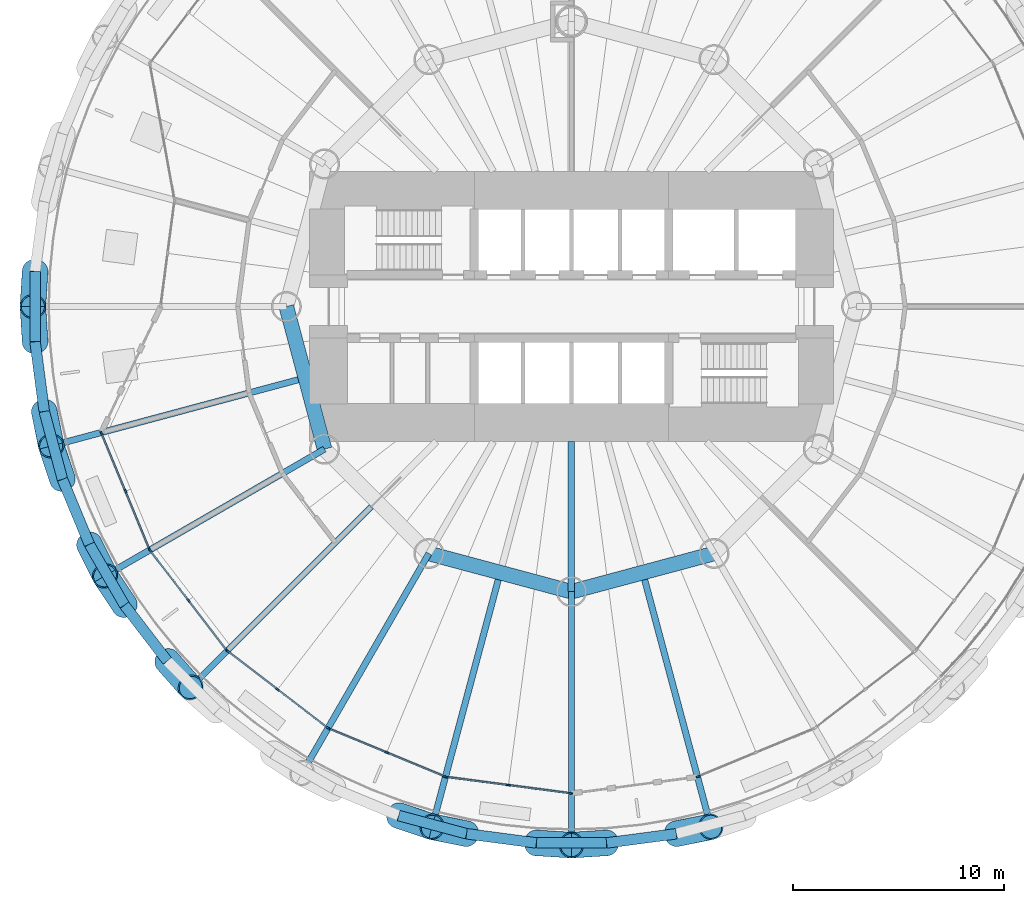
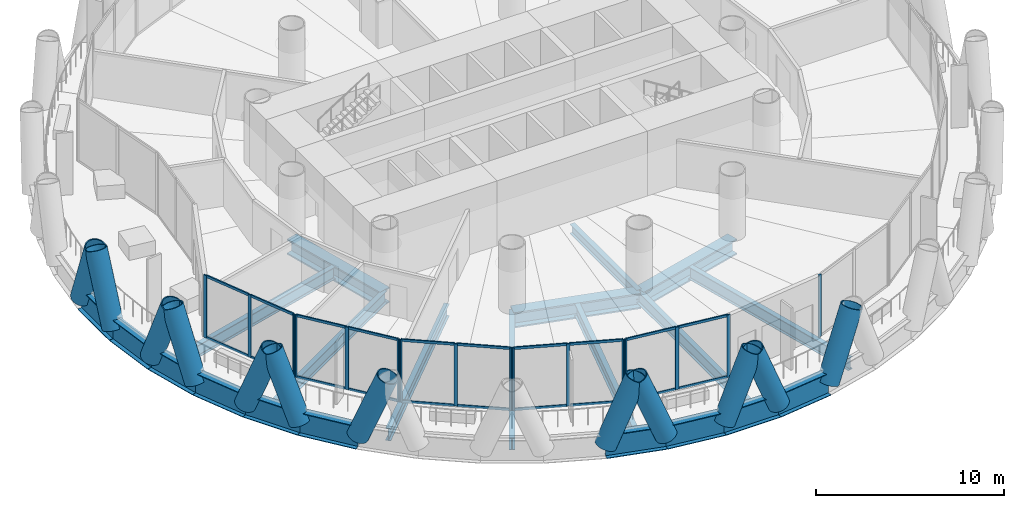
# One storey, part 2 of 15: 48 members, 21 beams, 6 elements without a shape of their own.
"""IFC4 building model written with IfcOpenShell, lengths in metres."""

from ifc_helpers import new_model, si_unit, direction, frame, origin, origin_2d, place, context, subcontext, project, spatial, rectangle, hollow_circle, i_section, extrude, material, material_profile, profile_set, type_object, element, aggregate, save


model = new_model("IFC4")

# Units and contexts
model_context = context("Model", 3, precision=1e-05, world=origin(), true_north=direction((0.0, 1.0)))
body_context = subcontext(model_context, "Body", "Model", "MODEL_VIEW")
ifc_project = project(units=[si_unit("LENGTHUNIT", "METRE"), si_unit("AREAUNIT", "SQUARE_METRE"), si_unit("VOLUMEUNIT", "CUBIC_METRE"), si_unit("PLANEANGLEUNIT", "RADIAN"), si_unit("MASSUNIT", "GRAM", prefix="KILO")], contexts=[model_context])

# Site, building, storey
site_placement = place(None, origin())
site = spatial("IfcSite", under=ifc_project, at=site_placement, CompositionType="ELEMENT")
building_placement = place(site_placement, origin())
building = spatial("IfcBuilding", under=site, at=building_placement, Name="Qaws Media Tower", CompositionType="ELEMENT")
storey_placement = place(building_placement, frame((0.0, 0.0, 72.199951171875)))
storey = spatial("IfcBuildingStorey", under=building, at=storey_placement, Name="L15", CompositionType="ELEMENT", Elevation=72.199951171875)

# Curtain wall, members
ifc_material_1 = material(Name="Aluminium and clear glass", Category="aluminium")
curtain_wall_type = type_object("IfcCurtainWallType", Name="Unitised curtain wall CW-A", PredefinedType="NOTDEFINED", material=ifc_material_1)
curtain_wall_1_placement = place(storey_placement, origin())
curtain_wall_1 = element("IfcCurtainWall", 1, at=curtain_wall_1_placement, inside=storey, type_object=curtain_wall_type, Name="CWA curtain wall L15-14", PredefinedType="NOTDEFINED")
ifc_material_2 = material(Name="Aluminium mullion", Category="aluminium")
ifc_material_profile_1 = material_profile(ifc_material_2, rectangle(XDim=0.080078125, YDim=0.199951171875, at=origin_2d()), Name="80x200")
ifc_profile_set_1 = profile_set([ifc_material_profile_1], Name="Aluminium mullion")
member_type_1 = type_object("IfcMemberType", Name="Curtain wall mullion 80x200", PredefinedType="MULLION", material=ifc_profile_set_1)
member_1_placement = place(storey_placement, frame((37.750732421875, 43.997314453125, 0.0), z_axis=(0.0, 0.0, 1.0), x_axis=(0.923879575665, 0.382683328183, 0.0)))
member_1 = element("IfcMember", 2, at=member_1_placement, type_object=member_type_1, Name="CWA mullion 1", PredefinedType="MULLION", context=body_context, shape_type="SweptSolid", body=[
    extrude(rectangle(XDim=0.080078125, YDim=0.199951171875, at=origin_2d()), origin(), (0.0, 0.0, 1.0), 4.0400390625),
])
member_2_placement = place(storey_placement, frame((38.88671875, 41.254638671875, 0.0), z_axis=(0.0, 0.0, 1.0), x_axis=(0.923879575665, 0.382683328183, 0.0)))
member_2 = element("IfcMember", 3, at=member_2_placement, type_object=member_type_1, Name="CWA mullion 2", PredefinedType="MULLION", context=body_context, shape_type="SweptSolid", body=[
    extrude(rectangle(XDim=0.080078125, YDim=0.199951171875, at=origin_2d()), origin(), (0.0, 0.0, 1.0), 4.0400390625),
])
member_3_placement = place(storey_placement, frame((40.022705078125, 38.511962890625, 0.0), z_axis=(0.0, 0.0, 1.0), x_axis=(0.923879575665, 0.382683328183, 0.0)))
member_3 = element("IfcMember", 4, at=member_3_placement, type_object=member_type_1, Name="CWA mullion 3", PredefinedType="MULLION", context=body_context, shape_type="SweptSolid", body=[
    extrude(rectangle(XDim=0.080078125, YDim=0.199951171875, at=origin_2d()), origin(), (0.0, 0.0, 1.0), 4.0400390625),
])

curtain_wall_2_placement = place(storey_placement, origin())
curtain_wall_2 = element("IfcCurtainWall", 5, at=curtain_wall_2_placement, inside=storey, type_object=curtain_wall_type, Name="CWA curtain wall L15-15", PredefinedType="NOTDEFINED")
member_4_placement = place(storey_placement, frame((40.0625, 38.443359375, 0.0), z_axis=(0.0, 0.0, 1.0), x_axis=(0.793353261295, 0.608761531958, 0.0)))
member_4 = element("IfcMember", 6, at=member_4_placement, type_object=member_type_1, Name="CWA mullion 1", PredefinedType="MULLION", context=body_context, shape_type="SweptSolid", body=[
    extrude(rectangle(XDim=0.080078125, YDim=0.199951171875, at=origin_2d()), origin(), (0.0, 0.0, 1.0), 4.0400390625),
])
member_5_placement = place(storey_placement, frame((41.86962890625, 36.088134765625, 0.0), z_axis=(0.0, 0.0, 1.0), x_axis=(0.793353261295, 0.608761531958, 0.0)))
member_5 = element("IfcMember", 7, at=member_5_placement, type_object=member_type_1, Name="CWA mullion 2", PredefinedType="MULLION", context=body_context, shape_type="SweptSolid", body=[
    extrude(rectangle(XDim=0.080078125, YDim=0.199951171875, at=origin_2d()), origin(), (0.0, 0.0, 1.0), 4.0400390625),
])
member_6_placement = place(storey_placement, frame((43.6767578125, 33.73291015625, 0.0), z_axis=(0.0, 0.0, 1.0), x_axis=(0.793353261295, 0.608761531958, 0.0)))
member_6 = element("IfcMember", 8, at=member_6_placement, type_object=member_type_1, Name="CWA mullion 3", PredefinedType="MULLION", context=body_context, shape_type="SweptSolid", body=[
    extrude(rectangle(XDim=0.080078125, YDim=0.199951171875, at=origin_2d()), origin(), (0.0, 0.0, 1.0), 4.0400390625),
])

curtain_wall_3_placement = place(storey_placement, origin())
curtain_wall_3 = element("IfcCurtainWall", 9, at=curtain_wall_3_placement, inside=storey, type_object=curtain_wall_type, Name="CWA curtain wall L15-16", PredefinedType="NOTDEFINED")
member_7_placement = place(storey_placement, frame((43.73291015625, 33.6767578125, 0.0), z_axis=(0.0, 0.0, 1.0), x_axis=(0.608761531958, 0.793353261295, 0.0)))
member_7 = element("IfcMember", 10, at=member_7_placement, type_object=member_type_1, Name="CWA mullion 1", PredefinedType="MULLION", context=body_context, shape_type="SweptSolid", body=[
    extrude(rectangle(XDim=0.080078125, YDim=0.199951171875, at=origin_2d()), origin(), (0.0, 0.0, 1.0), 4.0400390625),
])
member_8_placement = place(storey_placement, frame((46.088134765625, 31.86962890625, 0.0), z_axis=(0.0, 0.0, 1.0), x_axis=(0.608761531958, 0.793353261295, 0.0)))
member_8 = element("IfcMember", 11, at=member_8_placement, type_object=member_type_1, Name="CWA mullion 2", PredefinedType="MULLION", context=body_context, shape_type="SweptSolid", body=[
    extrude(rectangle(XDim=0.080078125, YDim=0.199951171875, at=origin_2d()), origin(), (0.0, 0.0, 1.0), 4.0400390625),
])
member_9_placement = place(storey_placement, frame((48.443359375, 30.0625, 0.0), z_axis=(0.0, 0.0, 1.0), x_axis=(0.608761531958, 0.793353261295, 0.0)))
member_9 = element("IfcMember", 12, at=member_9_placement, type_object=member_type_1, Name="CWA mullion 3", PredefinedType="MULLION", context=body_context, shape_type="SweptSolid", body=[
    extrude(rectangle(XDim=0.080078125, YDim=0.199951171875, at=origin_2d()), origin(), (0.0, 0.0, 1.0), 4.0400390625),
])

curtain_wall_4_placement = place(storey_placement, origin())
curtain_wall_4 = element("IfcCurtainWall", 13, at=curtain_wall_4_placement, inside=storey, type_object=curtain_wall_type, Name="CWA curtain wall L15-17", PredefinedType="NOTDEFINED")
member_10_placement = place(storey_placement, frame((48.511962890625, 30.022705078125, 0.0), z_axis=(0.0, 0.0, 1.0), x_axis=(0.382683328183, 0.923879575665, 0.0)))
member_10 = element("IfcMember", 14, at=member_10_placement, type_object=member_type_1, Name="CWA mullion 1", PredefinedType="MULLION", context=body_context, shape_type="SweptSolid", body=[
    extrude(rectangle(XDim=0.080078125, YDim=0.199951171875, at=origin_2d()), origin(), (0.0, 0.0, 1.0), 4.0400390625),
])
member_11_placement = place(storey_placement, frame((51.254638671875, 28.88671875, 0.0), z_axis=(0.0, 0.0, 1.0), x_axis=(0.382683328183, 0.923879575665, 0.0)))
member_11 = element("IfcMember", 15, at=member_11_placement, type_object=member_type_1, Name="CWA mullion 2", PredefinedType="MULLION", context=body_context, shape_type="SweptSolid", body=[
    extrude(rectangle(XDim=0.080078125, YDim=0.199951171875, at=origin_2d()), origin(), (0.0, 0.0, 1.0), 4.0400390625),
])
member_12_placement = place(storey_placement, frame((53.997314453125, 27.750732421875, 0.0), z_axis=(0.0, 0.0, 1.0), x_axis=(0.382683328183, 0.923879575665, 0.0)))
member_12 = element("IfcMember", 16, at=member_12_placement, type_object=member_type_1, Name="CWA mullion 3", PredefinedType="MULLION", context=body_context, shape_type="SweptSolid", body=[
    extrude(rectangle(XDim=0.080078125, YDim=0.199951171875, at=origin_2d()), origin(), (0.0, 0.0, 1.0), 4.0400390625),
])

curtain_wall_5_placement = place(storey_placement, origin())
curtain_wall_5 = element("IfcCurtainWall", 17, at=curtain_wall_5_placement, inside=storey, type_object=curtain_wall_type, Name="CWA curtain wall L15-18", PredefinedType="NOTDEFINED")
member_13_placement = place(storey_placement, frame((54.073974609375, 27.730224609375, 0.0), z_axis=(0.0, 0.0, 1.0), x_axis=(0.130526240342, 0.991444855038, 0.0)))
member_13 = element("IfcMember", 18, at=member_13_placement, type_object=member_type_1, Name="CWA mullion 1", PredefinedType="MULLION", context=body_context, shape_type="SweptSolid", body=[
    extrude(rectangle(XDim=0.080078125, YDim=0.199951171875, at=origin_2d()), origin(), (0.0, 0.0, 1.0), 4.0400390625),
])
member_14_placement = place(storey_placement, frame((57.01708984375, 27.3427734375, 0.0), z_axis=(0.0, 0.0, 1.0), x_axis=(0.130526240342, 0.991444855038, 0.0)))
member_14 = element("IfcMember", 19, at=member_14_placement, type_object=member_type_1, Name="CWA mullion 2", PredefinedType="MULLION", context=body_context, shape_type="SweptSolid", body=[
    extrude(rectangle(XDim=0.080078125, YDim=0.199951171875, at=origin_2d()), origin(), (0.0, 0.0, 1.0), 4.0400390625),
])
member_15_placement = place(storey_placement, frame((59.96044921875, 26.955322265625, 0.0), z_axis=(0.0, 0.0, 1.0), x_axis=(0.130526240342, 0.991444855038, 0.0)))
member_15 = element("IfcMember", 20, at=member_15_placement, type_object=member_type_1, Name="CWA mullion 3", PredefinedType="MULLION", context=body_context, shape_type="SweptSolid", body=[
    extrude(rectangle(XDim=0.080078125, YDim=0.199951171875, at=origin_2d()), origin(), (0.0, 0.0, 1.0), 4.0400390625),
])

# Curtain wall, member
curtain_wall_6_placement = place(storey_placement, origin())
curtain_wall_6 = element("IfcCurtainWall", 21, at=curtain_wall_6_placement, inside=storey, type_object=curtain_wall_type, Name="CWA curtain wall L15-20", PredefinedType="NOTDEFINED")
member_16_placement = place(storey_placement, frame((66.002685546875, 27.750732421875, 0.0), z_axis=(0.0, 0.0, 1.0), x_axis=(-0.382683328183, 0.923879575665, 0.0)))
member_16 = element("IfcMember", 22, at=member_16_placement, type_object=member_type_1, Name="CWA mullion 1", PredefinedType="MULLION", context=body_context, shape_type="SweptSolid", body=[
    extrude(rectangle(XDim=0.080078125, YDim=0.199951171875, at=origin_2d()), origin(), (0.0, 0.0, 1.0), 4.0400390625),
])
aggregate(curtain_wall_6, [member_16])

# Member
ifc_material_3 = material(Name="Aluminium transom", Category="aluminium")
ifc_material_profile_2 = material_profile(ifc_material_3, rectangle(XDim=0.080078125, YDim=0.159912109375, at=origin_2d()), Name="80x160")
ifc_profile_set_2 = profile_set([ifc_material_profile_2], Name="Aluminium transom")
member_type_2 = type_object("IfcMemberType", Name="Curtain wall transom 80x160", PredefinedType="USERDEFINED", material=ifc_profile_set_2)
member_17_placement = place(storey_placement, frame((37.76611328125, 43.960205078125, 0.0400390625), z_axis=(0.382627993016, -0.923902494293, 0.0), x_axis=(0.923902494293, 0.382627993016, 0.0)))
member_17 = element("IfcMember", 23, at=member_17_placement, type_object=member_type_2, Name="CWA transom 1.1", ObjectType="TRANSOM", PredefinedType="USERDEFINED", context=body_context, shape_type="SweptSolid", body=[
    extrude(rectangle(XDim=0.080078125, YDim=0.159912109375, at=origin_2d()), origin(), (0.0, 0.0, 1.0), 2.888427734375),
])

member_18_placement = place(storey_placement, frame((37.76611328125, 43.960205078125, 4.0), z_axis=(0.382627993016, -0.923902494293, 0.0), x_axis=(0.923902494293, 0.382627993016, 0.0)))
member_18 = element("IfcMember", 24, at=member_18_placement, type_object=member_type_2, Name="CWA transom 1.2", ObjectType="TRANSOM", PredefinedType="USERDEFINED", context=body_context, shape_type="SweptSolid", body=[
    extrude(rectangle(XDim=0.080078125, YDim=0.159912109375, at=origin_2d()), origin(), (0.0, 0.0, 1.0), 2.888427734375),
])

member_19_placement = place(storey_placement, frame((38.902099609375, 41.2177734375, 0.0400390625), z_axis=(0.382670255779, -0.923884990322, 0.0), x_axis=(0.923884990322, 0.382670255779, 0.0)))
member_19 = element("IfcMember", 25, at=member_19_placement, type_object=member_type_2, Name="CWA transom 2.1", ObjectType="TRANSOM", PredefinedType="USERDEFINED", context=body_context, shape_type="SweptSolid", body=[
    extrude(rectangle(XDim=0.080078125, YDim=0.159912109375, at=origin_2d()), origin(), (0.0, 0.0, 1.0), 2.888916015625),
])

member_20_placement = place(storey_placement, frame((38.902099609375, 41.2177734375, 4.0), z_axis=(0.382670255779, -0.923884990322, 0.0), x_axis=(0.923884990322, 0.382670255779, 0.0)))
member_20 = element("IfcMember", 26, at=member_20_placement, type_object=member_type_2, Name="CWA transom 2.2", ObjectType="TRANSOM", PredefinedType="USERDEFINED", context=body_context, shape_type="SweptSolid", body=[
    extrude(rectangle(XDim=0.080078125, YDim=0.159912109375, at=origin_2d()), origin(), (0.0, 0.0, 1.0), 2.888916015625),
])

aggregate(curtain_wall_1, [member_1, member_2, member_3, member_17, member_18, member_19, member_20])

member_21_placement = place(storey_placement, frame((40.0869140625, 38.41162109375, 0.0400390625), z_axis=(0.608713633127, -0.793390013074, 0.0), x_axis=(0.793390013074, 0.608713633127, 0.0)))
member_21 = element("IfcMember", 27, at=member_21_placement, type_object=member_type_2, Name="CWA transom 1.1", ObjectType="TRANSOM", PredefinedType="USERDEFINED", context=body_context, shape_type="SweptSolid", body=[
    extrude(rectangle(XDim=0.080078125, YDim=0.159912109375, at=origin_2d()), origin(), (0.0, 0.0, 1.0), 2.888671875),
])

member_22_placement = place(storey_placement, frame((40.0869140625, 38.41162109375, 4.0), z_axis=(0.608713633127, -0.793390013074, 0.0), x_axis=(0.793390013074, 0.608713633127, 0.0)))
member_22 = element("IfcMember", 28, at=member_22_placement, type_object=member_type_2, Name="CWA transom 1.2", ObjectType="TRANSOM", PredefinedType="USERDEFINED", context=body_context, shape_type="SweptSolid", body=[
    extrude(rectangle(XDim=0.080078125, YDim=0.159912109375, at=origin_2d()), origin(), (0.0, 0.0, 1.0), 2.888671875),
])

member_23_placement = place(storey_placement, frame((41.89404296875, 36.056396484375, 0.0400390625), z_axis=(0.608766831684, -0.793349194644, 0.0), x_axis=(0.793349194644, 0.608766831684, 0.0)))
member_23 = element("IfcMember", 29, at=member_23_placement, type_object=member_type_2, Name="CWA transom 2.1", ObjectType="TRANSOM", PredefinedType="USERDEFINED", context=body_context, shape_type="SweptSolid", body=[
    extrude(rectangle(XDim=0.080078125, YDim=0.159912109375, at=origin_2d()), origin(), (0.0, 0.0, 1.0), 2.888671875),
])

member_24_placement = place(storey_placement, frame((41.89404296875, 36.056396484375, 4.0), z_axis=(0.608766831684, -0.793349194644, 0.0), x_axis=(0.793349194644, 0.608766831684, 0.0)))
member_24 = element("IfcMember", 30, at=member_24_placement, type_object=member_type_2, Name="CWA transom 2.2", ObjectType="TRANSOM", PredefinedType="USERDEFINED", context=body_context, shape_type="SweptSolid", body=[
    extrude(rectangle(XDim=0.080078125, YDim=0.159912109375, at=origin_2d()), origin(), (0.0, 0.0, 1.0), 2.888671875),
])

aggregate(curtain_wall_2, [member_4, member_5, member_6, member_21, member_22, member_23, member_24])

member_25_placement = place(storey_placement, frame((43.7646484375, 33.652587890625, 0.0400390625), z_axis=(0.793349194644, -0.608766831684, 0.0), x_axis=(0.608766831684, 0.793349194644, 0.0)))
member_25 = element("IfcMember", 31, at=member_25_placement, type_object=member_type_2, Name="CWA transom 1.1", ObjectType="TRANSOM", PredefinedType="USERDEFINED", context=body_context, shape_type="SweptSolid", body=[
    extrude(rectangle(XDim=0.080078125, YDim=0.159912109375, at=origin_2d()), origin(), (0.0, 0.0, 1.0), 2.888671875),
])

member_26_placement = place(storey_placement, frame((43.7646484375, 33.652587890625, 4.0), z_axis=(0.793349194644, -0.608766831684, 0.0), x_axis=(0.608766831684, 0.793349194644, 0.0)))
member_26 = element("IfcMember", 32, at=member_26_placement, type_object=member_type_2, Name="CWA transom 1.2", ObjectType="TRANSOM", PredefinedType="USERDEFINED", context=body_context, shape_type="SweptSolid", body=[
    extrude(rectangle(XDim=0.080078125, YDim=0.159912109375, at=origin_2d()), origin(), (0.0, 0.0, 1.0), 2.888671875),
])

member_27_placement = place(storey_placement, frame((46.119873046875, 31.84521484375, 0.0400390625), z_axis=(0.793390013074, -0.608713633127, 0.0), x_axis=(0.608713633127, 0.793390013074, 0.0)))
member_27 = element("IfcMember", 33, at=member_27_placement, type_object=member_type_2, Name="CWA transom 2.1", ObjectType="TRANSOM", PredefinedType="USERDEFINED", context=body_context, shape_type="SweptSolid", body=[
    extrude(rectangle(XDim=0.080078125, YDim=0.159912109375, at=origin_2d()), origin(), (0.0, 0.0, 1.0), 2.888671875),
])

member_28_placement = place(storey_placement, frame((46.119873046875, 31.84521484375, 4.0), z_axis=(0.793390013074, -0.608713633127, 0.0), x_axis=(0.608713633127, 0.793390013074, 0.0)))
member_28 = element("IfcMember", 34, at=member_28_placement, type_object=member_type_2, Name="CWA transom 2.2", ObjectType="TRANSOM", PredefinedType="USERDEFINED", context=body_context, shape_type="SweptSolid", body=[
    extrude(rectangle(XDim=0.080078125, YDim=0.159912109375, at=origin_2d()), origin(), (0.0, 0.0, 1.0), 2.888671875),
])

aggregate(curtain_wall_3, [member_7, member_8, member_9, member_25, member_26, member_27, member_28])

member_29_placement = place(storey_placement, frame((48.548828125, 30.007568359375, 0.0400390625), z_axis=(0.923884990322, -0.382670255779, 0.0), x_axis=(0.382670255779, 0.923884990322, 0.0)))
member_29 = element("IfcMember", 35, at=member_29_placement, type_object=member_type_2, Name="CWA transom 1.1", ObjectType="TRANSOM", PredefinedType="USERDEFINED", context=body_context, shape_type="SweptSolid", body=[
    extrude(rectangle(XDim=0.080078125, YDim=0.159912109375, at=origin_2d()), origin(), (0.0, 0.0, 1.0), 2.888916015625),
])

member_30_placement = place(storey_placement, frame((48.548828125, 30.007568359375, 4.0), z_axis=(0.923884990322, -0.382670255779, 0.0), x_axis=(0.382670255779, 0.923884990322, 0.0)))
member_30 = element("IfcMember", 36, at=member_30_placement, type_object=member_type_2, Name="CWA transom 1.2", ObjectType="TRANSOM", PredefinedType="USERDEFINED", context=body_context, shape_type="SweptSolid", body=[
    extrude(rectangle(XDim=0.080078125, YDim=0.159912109375, at=origin_2d()), origin(), (0.0, 0.0, 1.0), 2.888916015625),
])

member_31_placement = place(storey_placement, frame((51.29150390625, 28.871337890625, 0.0400390625), z_axis=(0.923902494293, -0.382627993016, 0.0), x_axis=(0.382627993016, 0.923902494293, 0.0)))
member_31 = element("IfcMember", 37, at=member_31_placement, type_object=member_type_2, Name="CWA transom 2.1", ObjectType="TRANSOM", PredefinedType="USERDEFINED", context=body_context, shape_type="SweptSolid", body=[
    extrude(rectangle(XDim=0.080078125, YDim=0.159912109375, at=origin_2d()), origin(), (0.0, 0.0, 1.0), 2.888427734375),
])

member_32_placement = place(storey_placement, frame((51.29150390625, 28.871337890625, 4.0), z_axis=(0.923902494293, -0.382627993016, 0.0), x_axis=(0.382627993016, 0.923902494293, 0.0)))
member_32 = element("IfcMember", 38, at=member_32_placement, type_object=member_type_2, Name="CWA transom 2.2", ObjectType="TRANSOM", PredefinedType="USERDEFINED", context=body_context, shape_type="SweptSolid", body=[
    extrude(rectangle(XDim=0.080078125, YDim=0.159912109375, at=origin_2d()), origin(), (0.0, 0.0, 1.0), 2.888427734375),
])

aggregate(curtain_wall_4, [member_10, member_11, member_12, member_29, member_30, member_31, member_32])

member_33_placement = place(storey_placement, frame((54.113525390625, 27.724853515625, 0.0400390625), z_axis=(0.991449404578, -0.130491678516, 0.0), x_axis=(0.130491678516, 0.991449404578, 0.0)))
member_33 = element("IfcMember", 39, at=member_33_placement, type_object=member_type_2, Name="CWA transom 1.1", ObjectType="TRANSOM", PredefinedType="USERDEFINED", context=body_context, shape_type="SweptSolid", body=[
    extrude(rectangle(XDim=0.080078125, YDim=0.159912109375, at=origin_2d()), origin(), (0.0, 0.0, 1.0), 2.888671875),
])

member_34_placement = place(storey_placement, frame((54.113525390625, 27.724853515625, 4.0), z_axis=(0.991449404578, -0.130491678516, 0.0), x_axis=(0.130491678516, 0.991449404578, 0.0)))
member_34 = element("IfcMember", 40, at=member_34_placement, type_object=member_type_2, Name="CWA transom 1.2", ObjectType="TRANSOM", PredefinedType="USERDEFINED", context=body_context, shape_type="SweptSolid", body=[
    extrude(rectangle(XDim=0.080078125, YDim=0.159912109375, at=origin_2d()), origin(), (0.0, 0.0, 1.0), 2.888671875),
])

member_35_placement = place(storey_placement, frame((57.056884765625, 27.33740234375, 0.0400390625), z_axis=(0.991447965263, -0.130502613671, 0.0), x_axis=(0.130502613671, 0.991447965263, 0.0)))
member_35 = element("IfcMember", 41, at=member_35_placement, type_object=member_type_2, Name="CWA transom 2.1", ObjectType="TRANSOM", PredefinedType="USERDEFINED", context=body_context, shape_type="SweptSolid", body=[
    extrude(rectangle(XDim=0.080078125, YDim=0.159912109375, at=origin_2d()), origin(), (0.0, 0.0, 1.0), 2.888427734375),
])

member_36_placement = place(storey_placement, frame((57.056884765625, 27.33740234375, 4.0), z_axis=(0.991447965263, -0.130502613671, 0.0), x_axis=(0.130502613671, 0.991447965263, 0.0)))
member_36 = element("IfcMember", 42, at=member_36_placement, type_object=member_type_2, Name="CWA transom 2.2", ObjectType="TRANSOM", PredefinedType="USERDEFINED", context=body_context, shape_type="SweptSolid", body=[
    extrude(rectangle(XDim=0.080078125, YDim=0.159912109375, at=origin_2d()), origin(), (0.0, 0.0, 1.0), 2.888427734375),
])

aggregate(curtain_wall_5, [member_13, member_14, member_15, member_33, member_34, member_35, member_36])

# Members
ifc_material_4 = material(Name="Steel S460", Category="steel")
ifc_material_profile_3 = material_profile(ifc_material_4, hollow_circle(Radius=0.609619140625, WallThickness=0.06005859375, at=origin_2d()), Name="CHS 1219x60")
ifc_profile_set_3 = profile_set([ifc_material_profile_3], Name="Steel S460")
member_type_3 = type_object("IfcMemberType", Name="Diagrid member CHS 1219x60", PredefinedType="USERDEFINED", material=ifc_profile_set_3)
for number, where, z_axis, x_axis, name in (
    (43, (34.6044921875, 51.66455078125, -0.909912109375), (-0.023122926042, -0.368346050821, 0.929401160498), (0.998035453592, -0.062651682918, 0.0), "DG1 diagrid L15 A12"),
    (44, (35.0390625, 45.034912109375, -0.909912109375), (0.072989201231, -0.36175846887, 0.929410235958), (0.980247069572, 0.197776850506, 0.0), "DG1 diagrid L15 A13"),
    (45, (34.6044921875, 48.33544921875, -0.909912109375), (-0.023122926042, 0.368346050821, 0.929401160498), (-0.998035453592, -0.062651682918, 0.0), "DG1 diagrid L15 B13"),
    (46, (37.174560546875, 38.74365234375, -0.909912109375), (0.164131695888, -0.330532493562, 0.92941328649), (0.89565353979, 0.444752444244, 0.0), "DG1 diagrid L15 A14"),
    (47, (35.900634765625, 41.8193359375, -0.909912109375), (-0.117667428384, 0.349814783649, 0.929399802797), (-0.94781611288, -0.318817528008, 0.0), "DG1 diagrid L15 B14"),
    (48, (40.86572265625, 33.2197265625, -0.909912109375), (0.244087552691, -0.276827051791, 0.929401985159), (0.750068491784, 0.661360157276, 0.0), "DG1 diagrid L15 A15"),
    (49, (38.839111328125, 35.86083984375, -0.909912109375), (-0.204217631253, 0.307406963447, 0.929406325516), (-0.832950048826, -0.553348187094, 0.0), "DG1 diagrid L15 B15"),
    (50, (51.8193359375, 25.900634765625, -0.909912109375), (0.349814783649, -0.117667428384, 0.929399802797), (0.318817528008, 0.94781611288, 0.0), "DG1 diagrid L15 A17"),
    (51, (58.33544921875, 24.6044921875, -0.909912109375), (0.368346050821, -0.023122926042, 0.929401160498), (0.062651682918, 0.998035453592, 0.0), "DG1 diagrid L15 A18"),
    (52, (55.034912109375, 25.0390625, -0.909912109375), (-0.36175846887, 0.072989201231, 0.929410235958), (-0.197776850506, -0.980247069572, 0.0), "DG1 diagrid L15 B18"),
    (53, (64.965087890625, 25.0390625, -0.909912109375), (0.36175846887, 0.072989201231, 0.929410235958), (-0.197776850506, 0.980247069572, 0.0), "DG1 diagrid L15 A19"),
    (54, (61.66455078125, 24.6044921875, -0.909912109375), (-0.368346050821, -0.023122926042, 0.929401160498), (0.062651682918, -0.998035453592, 0.0), "DG1 diagrid L15 B19"),
):
    element("IfcMember", number, at=place(storey_placement, frame(where, z_axis=z_axis, x_axis=x_axis)), inside=storey, type_object=member_type_3, Name=name, ObjectType="DIAGRID", PredefinedType="USERDEFINED", context=body_context, shape_type="SweptSolid", body=[
        extrude(hollow_circle(Radius=0.609619140625, WallThickness=0.06005859375, at=origin_2d()), origin(), (0.0, 0.0, 1.0), 4.51904296875),
    ])

# Beams
ifc_material_5 = material(Name="Steel S460", Category="steel")
ifc_material_profile_4 = material_profile(ifc_material_5, i_section(OverallWidth=0.5, OverallDepth=1.5, WebThickness=0.02001953125, FlangeThickness=0.0400390625, at=origin_2d()), Name="PG 1500x500")
ifc_profile_set_4 = profile_set([ifc_material_profile_4], Name="Steel S460")
beam_type_1 = type_object("IfcBeamType", Name="Edge ring beam PG 1500x500", PredefinedType="BEAM", material=ifc_profile_set_4)
for number, where, z_axis, x_axis, name in (
    (55, (34.6044921875, 51.66455078125, -0.909912109375), (0.0, -1.0, 0.0), (1.0, 0.0, 0.0), "RB4 edge ring beam L15-24"),
    (56, (34.6044921875, 48.33544921875, -0.909912109375), (0.130539880563, -0.991443059173, 0.0), (0.991443059173, 0.130539880563, 0.0), "RB4 edge ring beam L15-25"),
    (57, (35.0390625, 45.034912109375, -0.909912109375), (0.258808178295, -0.965928737976, 0.0), (0.965928737976, 0.258808178295, 0.0), "RB4 edge ring beam L15-26"),
    (58, (35.900634765625, 41.8193359375, -0.909912109375), (0.382667003395, -0.923886337442, 0.0), (0.923886337442, 0.382667003395, 0.0), "RB4 edge ring beam L15-27"),
):
    element("IfcBeam", number, at=place(storey_placement, frame(where, z_axis=z_axis, x_axis=x_axis)), inside=storey, type_object=beam_type_1, Name=name, PredefinedType="BEAM", context=body_context, shape_type="SweptSolid", body=[
        extrude(i_section(OverallWidth=0.5, OverallDepth=1.5, WebThickness=0.02001953125, FlangeThickness=0.0400390625, at=origin_2d()), origin(), (0.0, 0.0, 1.0), 3.3291015625),
    ])
beam_1_placement = place(storey_placement, frame((37.174560546875, 38.74365234375, -0.909912109375), z_axis=(0.500035644245, -0.866004823592, 0.0), x_axis=(0.866004823592, 0.500035644245, 0.0)))
element("IfcBeam", 59, at=beam_1_placement, inside=storey, type_object=beam_type_1, Name="RB4 edge ring beam L15-28", PredefinedType="BEAM", context=body_context, shape_type="SweptSolid", body=[
    extrude(i_section(OverallWidth=0.5, OverallDepth=1.5, WebThickness=0.02001953125, FlangeThickness=0.0400390625, at=origin_2d()), origin(), (0.0, 0.0, 1.0), 3.328857421875),
])
for number, where, z_axis, x_axis, name in (
    (60, (38.839111328125, 35.86083984375, -0.909912109375), (0.608764043611, -0.79335133403, 0.0), (0.79335133403, 0.608764043611, 0.0), "RB4 edge ring beam L15-29"),
    (61, (51.8193359375, 25.900634765625, -0.909912109375), (0.965928737976, -0.258808178295, 0.0), (0.258808178295, 0.965928737976, 0.0), "RB4 edge ring beam L15-34"),
    (62, (55.034912109375, 25.0390625, -0.909912109375), (0.991443059173, -0.130539880563, 0.0), (0.130539880563, 0.991443059173, 0.0), "RB4 edge ring beam L15-35"),
    (63, (58.33544921875, 24.6044921875, -0.909912109375), (1.0, 0.0, 0.0), (0.0, 1.0, 0.0), "RB4 edge ring beam L15-36"),
    (64, (61.66455078125, 24.6044921875, -0.909912109375), (0.991443059173, 0.130539880563, 0.0), (-0.130539880563, 0.991443059173, 0.0), "RB4 edge ring beam L15-37"),
):
    element("IfcBeam", number, at=place(storey_placement, frame(where, z_axis=z_axis, x_axis=x_axis)), inside=storey, type_object=beam_type_1, Name=name, PredefinedType="BEAM", context=body_context, shape_type="SweptSolid", body=[
        extrude(i_section(OverallWidth=0.5, OverallDepth=1.5, WebThickness=0.02001953125, FlangeThickness=0.0400390625, at=origin_2d()), origin(), (0.0, 0.0, 1.0), 3.3291015625),
    ])
ifc_material_6 = material(Name="Steel S460", Category="steel")
ifc_material_profile_5 = material_profile(ifc_material_6, i_section(OverallWidth=0.699951171875, OverallDepth=1.0, WebThickness=0.034912109375, FlangeThickness=0.090087890625, at=origin_2d()), Name="PG 1000x700")
ifc_profile_set_5 = profile_set([ifc_material_profile_5], Name="Steel S460")
beam_type_2 = type_object("IfcBeamType", Name="Inner ring girder PG 1000x700", PredefinedType="BEAM", material=ifc_profile_set_5)
for number, where, z_axis, x_axis, name in (
    (65, (46.5, 50.0, -0.659912109375), (0.258810593767, -0.965928090778, 0.0), (0.965928090778, 0.258810593767, 0.0), "B3 inner ring beam L15 I07-I08"),
    (66, (53.25, 38.30859375, -0.659912109375), (0.965928090778, -0.258810593767, 0.0), (0.258810593767, 0.965928090778, 0.0), "B3 inner ring beam L15 I09-I10"),
    (67, (60.0, 36.5, -0.659912109375), (0.965928090778, 0.258810593767, 0.0), (-0.258810593767, 0.965928090778, 0.0), "B3 inner ring beam L15 I10-I11"),
):
    element("IfcBeam", number, at=place(storey_placement, frame(where, z_axis=z_axis, x_axis=x_axis)), inside=storey, type_object=beam_type_2, Name=name, PredefinedType="BEAM", context=body_context, shape_type="SweptSolid", body=[
        extrude(i_section(OverallWidth=0.699951171875, OverallDepth=1.0, WebThickness=0.034912109375, FlangeThickness=0.090087890625, at=origin_2d()), origin(), (0.0, 0.0, 1.0), 6.988037109375),
    ])
ifc_material_7 = material(Name="Steel S355", Category="steel")
ifc_material_profile_6 = material_profile(ifc_material_7, i_section(OverallWidth=0.304931640625, OverallDepth=0.6201171875, WebThickness=0.02099609375, FlangeThickness=0.0400390625, FilletRadius=0.027099609375, at=origin_2d()), Name="HE 600 M")
ifc_profile_set_6 = profile_set([ifc_material_profile_6], Name="Steel S355")
beam_type_3 = type_object("IfcBeamType", Name="Radial beam HE 600 M, core side", PredefinedType="BEAM", material=ifc_profile_set_6)
beam_2_placement = place(storey_placement, frame((60.0, 43.60009765625, -0.469970703125), z_axis=(0.0, -1.0, 0.0), x_axis=(1.0, 0.0, 0.0)))
element("IfcBeam", 68, at=beam_2_placement, inside=storey, type_object=beam_type_3, Name="B2 radial beam L15 19", PredefinedType="BEAM", context=body_context, shape_type="SweptSolid", body=[
    extrude(i_section(OverallWidth=0.304931640625, OverallDepth=0.6201171875, WebThickness=0.02099609375, FlangeThickness=0.0400390625, FilletRadius=0.027099609375, at=origin_2d()), origin(), (0.0, 0.0, 1.0), 7.10009765625),
])
ifc_material_8 = material(Name="Steel S355", Category="steel")
ifc_material_profile_7 = material_profile(ifc_material_8, i_section(OverallWidth=0.300048828125, OverallDepth=0.800048828125, WebThickness=0.017578125, FlangeThickness=0.032958984375, FilletRadius=0.030029296875, at=origin_2d()), Name="HE 800 B")
ifc_profile_set_7 = profile_set([ifc_material_profile_7], Name="Steel S355")
beam_type_4 = type_object("IfcBeamType", Name="Radial beam HE 800 B", PredefinedType="BEAM", material=ifc_profile_set_7)
beam_3_placement = place(storey_placement, frame((47.066162109375, 46.534423828125, -0.56005859375), z_axis=(-0.965927446476, -0.258812998406, 0.0), x_axis=(0.258812998406, -0.965927446476, 0.0)))
element("IfcBeam", 69, at=beam_3_placement, inside=storey, type_object=beam_type_4, Name="B1 radial beam L15 14", PredefinedType="BEAM", context=body_context, shape_type="SweptSolid", body=[
    extrude(i_section(OverallWidth=0.300048828125, OverallDepth=0.800048828125, WebThickness=0.017578125, FlangeThickness=0.032958984375, FilletRadius=0.030029296875, at=origin_2d()), origin(), (0.0, 0.0, 1.0), 12.005615234375),
])
beam_4_placement = place(storey_placement, frame((48.30859375, 43.25, -0.56005859375), z_axis=(-0.866024265868, -0.500001970923, 0.0), x_axis=(0.500001970923, -0.866024265868, 0.0)))
element("IfcBeam", 70, at=beam_4_placement, inside=storey, type_object=beam_type_4, Name="B1 radial beam L15 15", PredefinedType="BEAM", context=body_context, shape_type="SweptSolid", body=[
    extrude(i_section(OverallWidth=0.300048828125, OverallDepth=0.800048828125, WebThickness=0.017578125, FlangeThickness=0.032958984375, FilletRadius=0.030029296875, at=origin_2d()), origin(), (0.0, 0.0, 1.0), 11.8955078125),
])
beam_5_placement = place(storey_placement, frame((50.53173828125, 40.53173828125, -0.56005859375), z_axis=(-0.707106781187, -0.707106781187, 0.0), x_axis=(0.707106781187, -0.707106781187, 0.0)))
element("IfcBeam", 71, at=beam_5_placement, inside=storey, type_object=beam_type_4, Name="B1 radial beam L15 16", PredefinedType="BEAM", context=body_context, shape_type="SweptSolid", body=[
    extrude(i_section(OverallWidth=0.300048828125, OverallDepth=0.800048828125, WebThickness=0.017578125, FlangeThickness=0.032958984375, FilletRadius=0.030029296875, at=origin_2d()), origin(), (0.0, 0.0, 1.0), 12.00537109375),
])
beam_6_placement = place(storey_placement, frame((53.25, 38.30859375, -0.56005859375), z_axis=(-0.500001970923, -0.866024265868, 0.0), x_axis=(0.866024265868, -0.500001970923, 0.0)))
element("IfcBeam", 72, at=beam_6_placement, inside=storey, type_object=beam_type_4, Name="B1 radial beam L15 17", PredefinedType="BEAM", context=body_context, shape_type="SweptSolid", body=[
    extrude(i_section(OverallWidth=0.300048828125, OverallDepth=0.800048828125, WebThickness=0.017578125, FlangeThickness=0.032958984375, FilletRadius=0.030029296875, at=origin_2d()), origin(), (0.0, 0.0, 1.0), 11.8955078125),
])
beam_7_placement = place(storey_placement, frame((56.534423828125, 37.066162109375, -0.56005859375), z_axis=(-0.258812998406, -0.965927446476, 0.0), x_axis=(0.965927446476, -0.258812998406, 0.0)))
element("IfcBeam", 73, at=beam_7_placement, inside=storey, type_object=beam_type_4, Name="B1 radial beam L15 18", PredefinedType="BEAM", context=body_context, shape_type="SweptSolid", body=[
    extrude(i_section(OverallWidth=0.300048828125, OverallDepth=0.800048828125, WebThickness=0.017578125, FlangeThickness=0.032958984375, FilletRadius=0.030029296875, at=origin_2d()), origin(), (0.0, 0.0, 1.0), 12.005615234375),
])
beam_8_placement = place(storey_placement, frame((60.0, 36.5, -0.56005859375), z_axis=(0.0, -1.0, 0.0), x_axis=(1.0, 0.0, 0.0)))
element("IfcBeam", 74, at=beam_8_placement, inside=storey, type_object=beam_type_4, Name="B1 radial beam L15 19", PredefinedType="BEAM", context=body_context, shape_type="SweptSolid", body=[
    extrude(i_section(OverallWidth=0.300048828125, OverallDepth=0.800048828125, WebThickness=0.017578125, FlangeThickness=0.032958984375, FilletRadius=0.030029296875, at=origin_2d()), origin(), (0.0, 0.0, 1.0), 11.8955078125),
])
beam_9_placement = place(storey_placement, frame((63.465576171875, 37.066162109375, -0.56005859375), z_axis=(0.258812998406, -0.965927446476, 0.0), x_axis=(0.965927446476, 0.258812998406, 0.0)))
element("IfcBeam", 75, at=beam_9_placement, inside=storey, type_object=beam_type_4, Name="B1 radial beam L15 20", PredefinedType="BEAM", context=body_context, shape_type="SweptSolid", body=[
    extrude(i_section(OverallWidth=0.300048828125, OverallDepth=0.800048828125, WebThickness=0.017578125, FlangeThickness=0.032958984375, FilletRadius=0.030029296875, at=origin_2d()), origin(), (0.0, 0.0, 1.0), 12.005615234375),
])

save(model, "model.ifc")
